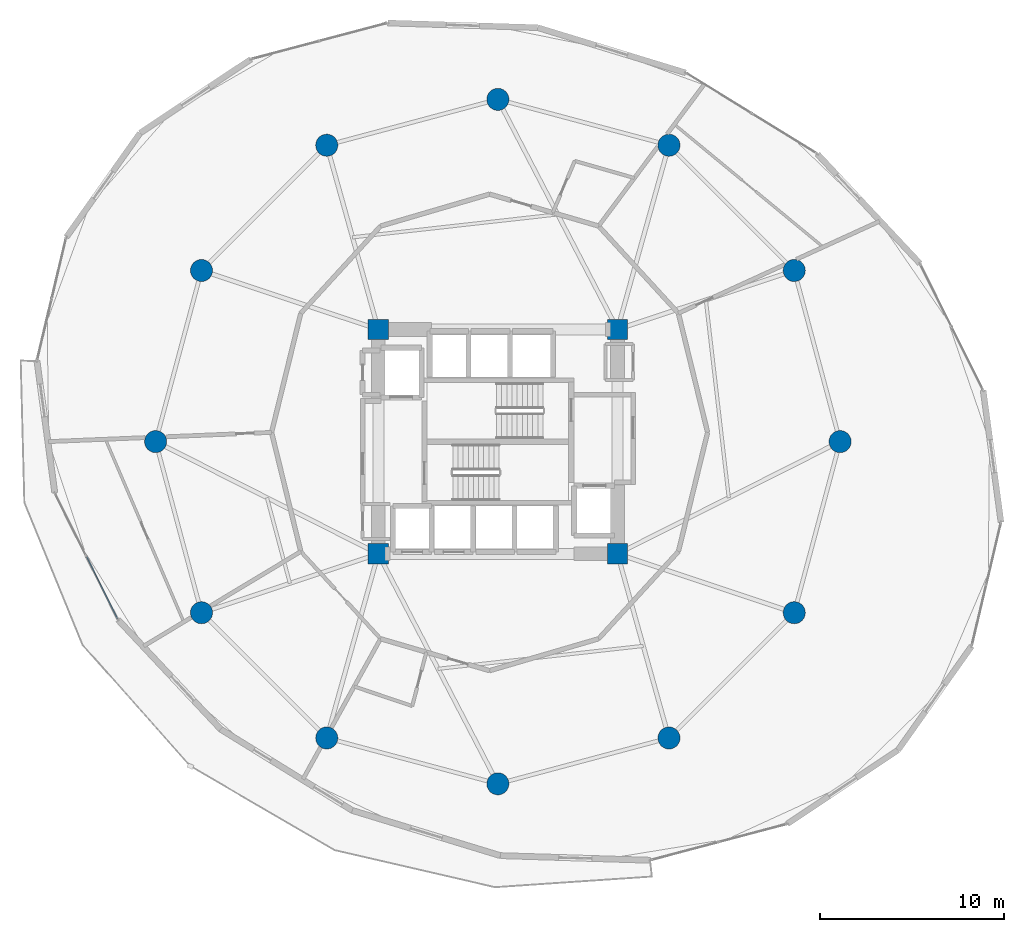
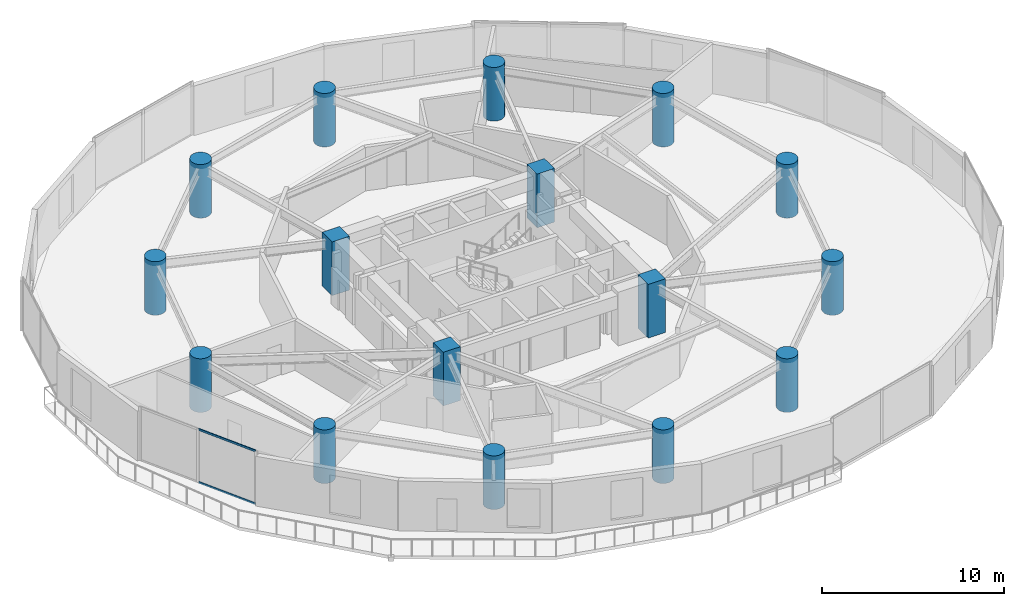
# One storey, part 1 of 24: 16 columns, 2 members, 1 element without a shape of its own.
"""IFC4 building model written with IfcOpenShell, lengths in metres."""

from ifc_helpers import new_model, si_unit, direction, frame, origin, origin_2d, place, context, subcontext, project, spatial, rectangle, hollow_rectangle, circle, extrude, source, transform, mapped, material, layer, layer_set, material_profile, profile_set, type_object, element, aggregate, save


model = new_model("IFC4")

# Units and contexts
model_context = context("Model", 3, precision=1e-05, world=origin(), true_north=direction((0.0, 1.0)))
body_context = subcontext(model_context, "Body", "Model", "MODEL_VIEW")
ifc_project = project(units=[si_unit("LENGTHUNIT", "METRE"), si_unit("AREAUNIT", "SQUARE_METRE"), si_unit("VOLUMEUNIT", "CUBIC_METRE"), si_unit("PLANEANGLEUNIT", "RADIAN"), si_unit("MASSUNIT", "GRAM", prefix="KILO")], contexts=[model_context])

# Site, building, storey
site_placement = place(None, origin())
site = spatial("IfcSite", under=ifc_project, at=site_placement, CompositionType="ELEMENT")
building_placement = place(site_placement, origin())
building = spatial("IfcBuilding", under=site, at=building_placement, Name="Solvirekh Grand Hotel", CompositionType="ELEMENT")
storey_placement = place(building_placement, frame((0.0, 0.0, 86.0)))
storey = spatial("IfcBuildingStorey", under=building, at=storey_placement, Name="L21", CompositionType="ELEMENT", Elevation=86.0)

# Columns
ifc_material_1 = material(Name="Concrete C60/75", Category="concrete")
ifc_material_profile_1 = material_profile(ifc_material_1, rectangle(XDim=1.10009765625, YDim=1.10009765625, at=origin_2d()), Name="RC 1100X1100")
ifc_profile_set_1 = profile_set([ifc_material_profile_1], Name="Concrete C60/75")
column_type_1 = type_object("IfcColumnType", Name="Col_Core_1100", PredefinedType="COLUMN", material=ifc_profile_set_1)
for number, where, z_axis, x_axis, name in (
    (1, (-6.5, -6.10009765625, 0.0), (0.0, 0.0, 1.0), (1.0, 0.0, 0.0), "L21 core corner column CC1"),
    (2, (6.5, -6.10009765625, 0.0), (0.0, 0.0, 1.0), (1.0, 0.0, 0.0), "L21 core corner column CC2"),
    (3, (6.5, 6.10009765625, 0.0), (0.0, 0.0, 1.0), (1.0, 0.0, 0.0), "L21 core corner column CC3"),
    (4, (-6.5, 6.10009765625, 0.0), (0.0, 0.0, 1.0), (1.0, 0.0, 0.0), "L21 core corner column CC4"),
):
    element("IfcColumn", number, at=place(storey_placement, frame(where, z_axis=z_axis, x_axis=x_axis)), inside=storey, type_object=column_type_1, Name=name, PredefinedType="COLUMN", context=body_context, shape_type="SweptSolid", body=[
        extrude(rectangle(XDim=1.10009765625, YDim=1.10009765625, at=origin_2d()), origin(), (0.0, 0.0, 1.0), 3.60009765625),
    ])
ifc_material_profile_2 = material_profile(ifc_material_1, circle(Radius=0.60009765625, at=origin_2d()), Name="RC CIRC D1200")
ifc_profile_set_2 = profile_set([ifc_material_profile_2], Name="Concrete C60/75")
column_type_2 = type_object("IfcColumnType", Name="Col_Z1_D1200", PredefinedType="COLUMN", material=ifc_profile_set_2)
for number, where, z_axis, x_axis, name in (
    (5, (18.60009765625, 0.0, 0.0), (0.0, 0.0, 1.0), (1.0, 0.0, 0.0), "L21 perimeter column P01"),
    (6, (16.10791015625, 9.300048828125, 0.0), (0.0, 0.0, 1.0), (1.0, 0.0, 0.0), "L21 perimeter column P02"),
    (7, (9.300048828125, 16.10791015625, 0.0), (0.0, 0.0, 1.0), (1.0, 0.0, 0.0), "L21 perimeter column P03"),
    (8, (0.0, 18.60009765625, 0.0), (0.0, 0.0, 1.0), (1.0, 0.0, 0.0), "L21 perimeter column P04"),
    (9, (-9.300048828125, 16.10791015625, 0.0), (0.0, 0.0, 1.0), (1.0, 0.0, 0.0), "L21 perimeter column P05"),
    (10, (-16.10791015625, 9.300048828125, 0.0), (0.0, 0.0, 1.0), (1.0, 0.0, 0.0), "L21 perimeter column P06"),
    (11, (-18.60009765625, 0.0, 0.0), (0.0, 0.0, 1.0), (1.0, 0.0, 0.0), "L21 perimeter column P07"),
    (12, (-16.10791015625, -9.300048828125, 0.0), (0.0, 0.0, 1.0), (1.0, 0.0, 0.0), "L21 perimeter column P08"),
    (13, (-9.300048828125, -16.10791015625, 0.0), (0.0, 0.0, 1.0), (1.0, 0.0, 0.0), "L21 perimeter column P09"),
    (14, (0.0, -18.60009765625, 0.0), (0.0, 0.0, 1.0), (1.0, 0.0, 0.0), "L21 perimeter column P10"),
    (15, (9.300048828125, -16.10791015625, 0.0), (0.0, 0.0, 1.0), (1.0, 0.0, 0.0), "L21 perimeter column P11"),
    (16, (16.10791015625, -9.300048828125, 0.0), (0.0, 0.0, 1.0), (1.0, 0.0, 0.0), "L21 perimeter column P12"),
):
    element("IfcColumn", number, at=place(storey_placement, frame(where, z_axis=z_axis, x_axis=x_axis)), inside=storey, type_object=column_type_2, Name=name, PredefinedType="COLUMN", context=body_context, shape_type="SweptSolid", body=[
        extrude(circle(Radius=0.60009765625, at=origin_2d()), origin(), (0.0, 0.0, 1.0), 3.60009765625),
    ])

# Curtain wall, members
ifc_material_2 = material(Name="Anodized Bronze Aluminium 6063-T6", Category="aluminium")
ifc_layer = layer(ifc_material_2, 0.18994140625)
ifc_layer_set = layer_set([ifc_layer], Name="Anodized Bronze Aluminium 6063-T6")
curtain_wall_type = type_object("IfcCurtainWallType", Name="CW_Sys2_LowZoneFlushBronzeCW", PredefinedType="NOTDEFINED", material=ifc_layer_set)
curtain_wall_placement = place(storey_placement, origin())
curtain_wall = element("IfcCurtainWall", 17, at=curtain_wall_placement, inside=storey, type_object=curtain_wall_type, Name="L21 unitised bronze-glass curtain wall CW-L21-C13", PredefinedType="NOTDEFINED")
ifc_material_profile_3 = material_profile(ifc_material_2, hollow_rectangle(XDim=0.06005859375, YDim=0.135009765625, WallThickness=0.00390625, at=origin_2d()), Name="ALU RHS 135X60X4")
ifc_profile_set_3 = profile_set([ifc_material_profile_3], Name="Anodized Bronze Aluminium 6063-T6")
member_type = type_object("IfcMemberType", Name="CWTransom_Sys2", PredefinedType="USERDEFINED", material=ifc_profile_set_3)
shared_shape = source(origin(), body_context, "Body", "SweptSolid", [
    extrude(hollow_rectangle(XDim=0.06005859375, YDim=0.135009765625, WallThickness=0.00390625, at=origin_2d()), origin(), (0.0, 0.0, 1.0), 3.74755859375),
])
member_1_placement = place(storey_placement, frame((-22.345947265625, -6.266845703125, 0.030029296875), z_axis=(0.446327366422, -0.894869756994, 0.0), x_axis=(0.894869756994, 0.446327366422, 0.0)))
member_1 = element("IfcMember", 18, at=member_1_placement, type_object=member_type, Name="U02 transom 2.1", ObjectType="TRANSOM", PredefinedType="USERDEFINED", context=body_context, shape_type="MappedRepresentation", body=[
    mapped(shared_shape, transform((0.0, 0.0, 0.0), x_axis=(1.0, 0.0, 0.0), y_axis=(0.0, 1.0, 0.0), z_axis=(0.0, 0.0, 1.0), scale=1.0)),
])
member_2_placement = place(storey_placement, frame((-22.345947265625, -6.266845703125, 3.570068359375), z_axis=(0.446327366422, -0.894869756994, 0.0), x_axis=(0.894869756994, 0.446327366422, 0.0)))
member_2 = element("IfcMember", 19, at=member_2_placement, type_object=member_type, Name="U02 transom 2.2", ObjectType="TRANSOM", PredefinedType="USERDEFINED", context=body_context, shape_type="MappedRepresentation", body=[
    mapped(shared_shape, transform((0.0, 0.0, 0.0), x_axis=(1.0, 0.0, 0.0), y_axis=(0.0, 1.0, 0.0), z_axis=(0.0, 0.0, 1.0), scale=1.0)),
])
aggregate(curtain_wall, [member_1, member_2])

save(model, "model.ifc")
